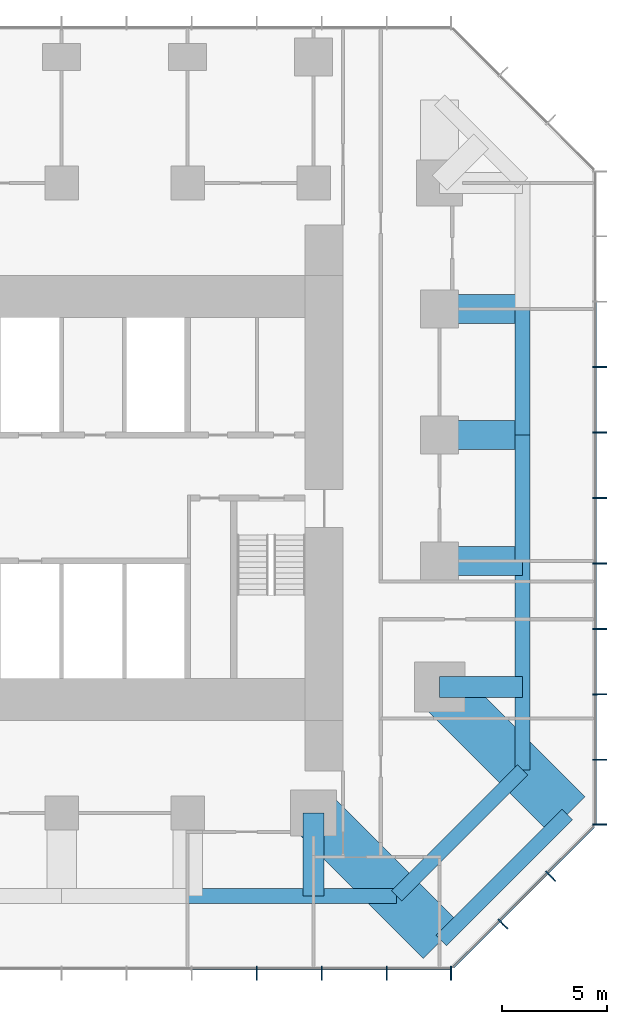
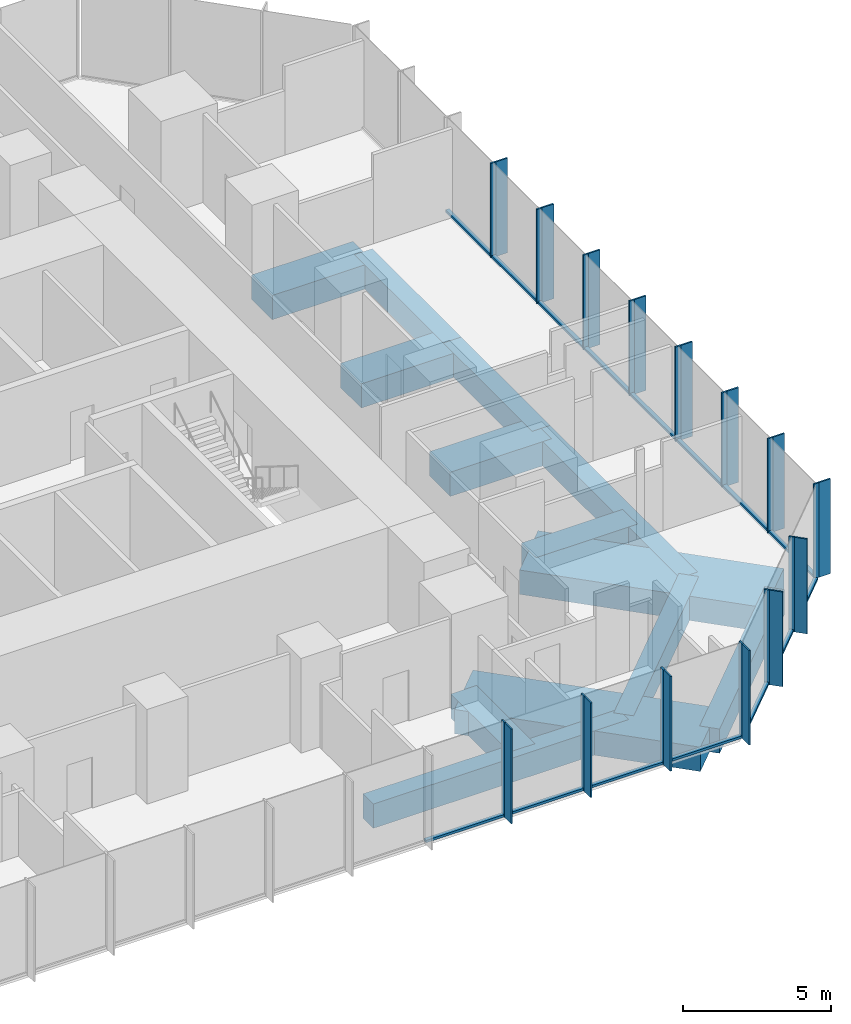
# One storey, part 4 of 12: 43 members, 13 beams, 3 elements without a shape of their own.
"""IFC4 building model written with IfcOpenShell, lengths in metres."""

from ifc_helpers import new_model, si_unit, direction, frame, origin, origin_2d, place, context, subcontext, project, spatial, rectangle, extrude, material, layer, layer_set, material_profile, profile_set, type_object, element, aggregate, save


model = new_model("IFC4")

# Units and contexts
model_context = context("Model", 3, precision=1e-05, world=origin(), true_north=direction((0.0, 1.0)))
body_context = subcontext(model_context, "Body", "Model", "MODEL_VIEW")
ifc_project = project(units=[si_unit("LENGTHUNIT", "METRE"), si_unit("AREAUNIT", "SQUARE_METRE"), si_unit("VOLUMEUNIT", "CUBIC_METRE"), si_unit("PLANEANGLEUNIT", "RADIAN"), si_unit("MASSUNIT", "GRAM", prefix="KILO")], contexts=[model_context])

# Site, building, storey
site_placement = place(None, origin())
site = spatial("IfcSite", under=ifc_project, at=site_placement, CompositionType="ELEMENT")
building_placement = place(site_placement, origin())
building = spatial("IfcBuilding", under=site, at=building_placement, Name="Highveld Stack Headquarters", CompositionType="ELEMENT")
storey_placement = place(building_placement, frame((0.0, 0.0, 148.39990234375)))
storey = spatial("IfcBuildingStorey", under=building, at=storey_placement, Name="L36", CompositionType="ELEMENT", Elevation=148.39990234375)

# Beams
ifc_material_1 = material(Name="Concrete C60/75", Category="concrete")
ifc_material_profile_1 = material_profile(ifc_material_1, rectangle(XDim=1.0, YDim=1.0, at=origin_2d()), Name="RC 1000x1000")
ifc_profile_set_1 = profile_set([ifc_material_profile_1], Name="Concrete C60/75")
beam_type_1 = type_object("IfcBeamType", Name="CANTILEVER RIB RC 1000x1000", PredefinedType="USERDEFINED", material=ifc_profile_set_1)
for number, where, z_axis, x_axis, name in (
    (1, (18.0, -12.0, -0.75), (0.0, -1.0, 0.0), (1.0, 0.0, 0.0), "Cantilever rib 9/C L36"),
    (2, (24.0, -6.0, -0.75), (1.0, 0.0, 0.0), (0.0, 1.0, 0.0), "Cantilever rib 10/D L36"),
):
    element("IfcBeam", number, at=place(storey_placement, frame(where, z_axis=z_axis, x_axis=x_axis)), inside=storey, type_object=beam_type_1, Name=name, ObjectType="CANTILEVER RIB", PredefinedType="USERDEFINED", context=body_context, shape_type="SweptSolid", body=[
        extrude(rectangle(XDim=1.0, YDim=1.0, at=origin_2d()), origin(), (0.0, 0.0, 1.0), 3.949951171875),
    ])
ifc_material_2 = material(Name="Concrete C60/75", Category="concrete")
ifc_material_profile_2 = material_profile(ifc_material_2, rectangle(XDim=1.39990234375, YDim=1.0, at=origin_2d()), Name="RC 1400x1000")
ifc_profile_set_2 = profile_set([ifc_material_profile_2], Name="Concrete C60/75")
beam_type_2 = type_object("IfcBeamType", Name="CANTILEVER RIB RC 1400x1000", PredefinedType="USERDEFINED", material=ifc_profile_set_2)
for number, where, z_axis, x_axis, name in (
    (3, (24.0, 0.0, -0.75), (1.0, 0.0, 0.0), (0.0, 1.0, 0.0), "Cantilever rib 10/E L36"),
    (4, (24.0, 6.0, -0.75), (1.0, 0.0, 0.0), (0.0, 1.0, 0.0), "Cantilever rib 10/F L36"),
    (5, (24.0, 12.0, -0.75), (1.0, 0.0, 0.0), (0.0, 1.0, 0.0), "Cantilever rib 10/G L36"),
):
    element("IfcBeam", number, at=place(storey_placement, frame(where, z_axis=z_axis, x_axis=x_axis)), inside=storey, type_object=beam_type_2, Name=name, ObjectType="CANTILEVER RIB", PredefinedType="USERDEFINED", context=body_context, shape_type="SweptSolid", body=[
        extrude(rectangle(XDim=1.39990234375, YDim=1.0, at=origin_2d()), origin(), (0.0, 0.0, 1.0), 3.949951171875),
    ])
ifc_material_3 = material(Name="Concrete C60/75", Category="concrete")
ifc_material_profile_3 = material_profile(ifc_material_3, rectangle(XDim=2.39990234375, YDim=1.0, at=origin_2d()), Name="RC 2400x1000")
ifc_profile_set_3 = profile_set([ifc_material_profile_3], Name="Concrete C60/75")
beam_type_3 = type_object("IfcBeamType", Name="CANTILEVER RIB RC 2400x1000", PredefinedType="USERDEFINED", material=ifc_profile_set_3)
for number, where, z_axis, x_axis, name in (
    (6, (18.0, -12.0, -0.75), (0.707106781187, -0.707106781187, 0.0), (0.707106781187, 0.707106781187, 0.0), "Cantilever rib 9/C L36"),
    (7, (24.0, -6.0, -0.75), (0.707106781187, -0.707106781187, 0.0), (0.707106781187, 0.707106781187, 0.0), "Cantilever rib 10/D L36"),
):
    element("IfcBeam", number, at=place(storey_placement, frame(where, z_axis=z_axis, x_axis=x_axis)), inside=storey, type_object=beam_type_3, Name=name, ObjectType="CANTILEVER RIB", PredefinedType="USERDEFINED", context=body_context, shape_type="SweptSolid", body=[
        extrude(rectangle(XDim=2.39990234375, YDim=1.0, at=origin_2d()), origin(), (0.0, 0.0, 1.0), 8.585693359375),
    ])

# Curtain wall, members
ifc_material_4 = material(Name="Aluminium bronze anodised", Category="aluminium")
ifc_layer_1 = layer(ifc_material_4, 0.199951171875)
ifc_layer_set_1 = layer_set([ifc_layer_1], Name="Aluminium bronze anodised")
curtain_wall_type_1 = type_object("IfcCurtainWallType", Name="CW1 TOWER UNITISED CURTAIN WALL", PredefinedType="NOTDEFINED", material=ifc_layer_set_1)
curtain_wall_1_placement = place(storey_placement, origin())
curtain_wall_1 = element("IfcCurtainWall", 8, at=curtain_wall_1_placement, inside=storey, type_object=curtain_wall_type_1, Name="Curtain wall CW1 L36 S", PredefinedType="NOTDEFINED")
ifc_material_5 = material(Name="Aluminium bronze anodised", Category="aluminium")
ifc_material_profile_4 = material_profile(ifc_material_5, rectangle(XDim=0.449951171875, YDim=0.06005859375, at=origin_2d()), Name="FIN 450x60")
ifc_profile_set_4 = profile_set([ifc_material_profile_4], Name="Aluminium bronze anodised")
member_type_1 = type_object("IfcMemberType", Name="CW1 BRONZE FIN 450x60", PredefinedType="USERDEFINED", material=ifc_profile_set_4)
member_1_placement = place(storey_placement, frame((15.289794921875, -19.72509765625, 0.0), z_axis=(0.0, 0.0, 1.0), x_axis=(0.0, 1.0, 0.0)))
member_1 = element("IfcMember", 9, at=member_1_placement, type_object=member_type_1, Name="CW1 fin L36 10", ObjectType="FIN", PredefinedType="USERDEFINED", context=body_context, shape_type="SweptSolid", body=[
    extrude(rectangle(XDim=0.449951171875, YDim=0.06005859375, at=origin_2d()), origin(), (0.0, 0.0, 1.0), 3.900146484375),
])
member_2_placement = place(storey_placement, frame((18.38671875, -19.72509765625, 0.0), z_axis=(0.0, 0.0, 1.0), x_axis=(0.0, 1.0, 0.0)))
member_2 = element("IfcMember", 10, at=member_2_placement, type_object=member_type_1, Name="CW1 fin L36 11", ObjectType="FIN", PredefinedType="USERDEFINED", context=body_context, shape_type="SweptSolid", body=[
    extrude(rectangle(XDim=0.449951171875, YDim=0.06005859375, at=origin_2d()), origin(), (0.0, 0.0, 1.0), 3.900146484375),
])
member_3_placement = place(storey_placement, frame((21.483154296875, -19.72509765625, 0.0), z_axis=(0.0, 0.0, 1.0), x_axis=(0.0, 1.0, 0.0)))
member_3 = element("IfcMember", 11, at=member_3_placement, type_object=member_type_1, Name="CW1 fin L36 12", ObjectType="FIN", PredefinedType="USERDEFINED", context=body_context, shape_type="SweptSolid", body=[
    extrude(rectangle(XDim=0.449951171875, YDim=0.06005859375, at=origin_2d()), origin(), (0.0, 0.0, 1.0), 3.900146484375),
])
member_4_placement = place(storey_placement, frame((24.54736328125, -19.72509765625, 0.0), z_axis=(0.0, 0.0, 1.0), x_axis=(0.0, 1.0, 0.0)))
member_4 = element("IfcMember", 12, at=member_4_placement, type_object=member_type_1, Name="CW1 fin L36 13", ObjectType="FIN", PredefinedType="USERDEFINED", context=body_context, shape_type="SweptSolid", body=[
    extrude(rectangle(XDim=0.449951171875, YDim=0.06005859375, at=origin_2d()), origin(), (0.0, 0.0, 1.0), 3.900146484375),
])

curtain_wall_2_placement = place(storey_placement, origin())
curtain_wall_2 = element("IfcCurtainWall", 13, at=curtain_wall_2_placement, inside=storey, type_object=curtain_wall_type_1, Name="Curtain wall CW1 L36 E", PredefinedType="NOTDEFINED")
member_5_placement = place(storey_placement, frame((31.72509765625, -12.54736328125, 0.0), z_axis=(0.0, 0.0, 1.0), x_axis=(-1.0, 0.0, 0.0)))
member_5 = element("IfcMember", 14, at=member_5_placement, type_object=member_type_1, Name="CW1 fin L36 1", ObjectType="FIN", PredefinedType="USERDEFINED", context=body_context, shape_type="SweptSolid", body=[
    extrude(rectangle(XDim=0.449951171875, YDim=0.06005859375, at=origin_2d()), origin(), (0.0, 0.0, 1.0), 3.900146484375),
])
member_6_placement = place(storey_placement, frame((31.72509765625, -9.4638671875, 0.0), z_axis=(0.0, 0.0, 1.0), x_axis=(-1.0, 0.0, 0.0)))
member_6 = element("IfcMember", 15, at=member_6_placement, type_object=member_type_1, Name="CW1 fin L36 2", ObjectType="FIN", PredefinedType="USERDEFINED", context=body_context, shape_type="SweptSolid", body=[
    extrude(rectangle(XDim=0.449951171875, YDim=0.06005859375, at=origin_2d()), origin(), (0.0, 0.0, 1.0), 3.900146484375),
])
member_7_placement = place(storey_placement, frame((31.72509765625, -6.347900390625, 0.0), z_axis=(0.0, 0.0, 1.0), x_axis=(-1.0, 0.0, 0.0)))
member_7 = element("IfcMember", 16, at=member_7_placement, type_object=member_type_1, Name="CW1 fin L36 3", ObjectType="FIN", PredefinedType="USERDEFINED", context=body_context, shape_type="SweptSolid", body=[
    extrude(rectangle(XDim=0.449951171875, YDim=0.06005859375, at=origin_2d()), origin(), (0.0, 0.0, 1.0), 3.900146484375),
])
member_8_placement = place(storey_placement, frame((31.72509765625, -3.23193359375, 0.0), z_axis=(0.0, 0.0, 1.0), x_axis=(-1.0, 0.0, 0.0)))
member_8 = element("IfcMember", 17, at=member_8_placement, type_object=member_type_1, Name="CW1 fin L36 4", ObjectType="FIN", PredefinedType="USERDEFINED", context=body_context, shape_type="SweptSolid", body=[
    extrude(rectangle(XDim=0.449951171875, YDim=0.06005859375, at=origin_2d()), origin(), (0.0, 0.0, 1.0), 3.900146484375),
])
member_9_placement = place(storey_placement, frame((31.72509765625, -0.115966796875, 0.0), z_axis=(0.0, 0.0, 1.0), x_axis=(-1.0, 0.0, 0.0)))
member_9 = element("IfcMember", 18, at=member_9_placement, type_object=member_type_1, Name="CW1 fin L36 5", ObjectType="FIN", PredefinedType="USERDEFINED", context=body_context, shape_type="SweptSolid", body=[
    extrude(rectangle(XDim=0.449951171875, YDim=0.06005859375, at=origin_2d()), origin(), (0.0, 0.0, 1.0), 3.900146484375),
])
member_10_placement = place(storey_placement, frame((31.72509765625, 3.0, 0.0), z_axis=(0.0, 0.0, 1.0), x_axis=(-1.0, 0.0, 0.0)))
member_10 = element("IfcMember", 19, at=member_10_placement, type_object=member_type_1, Name="CW1 fin L36 6", ObjectType="FIN", PredefinedType="USERDEFINED", context=body_context, shape_type="SweptSolid", body=[
    extrude(rectangle(XDim=0.449951171875, YDim=0.06005859375, at=origin_2d()), origin(), (0.0, 0.0, 1.0), 3.900146484375),
])
member_11_placement = place(storey_placement, frame((31.72509765625, 6.115966796875, 0.0), z_axis=(0.0, 0.0, 1.0), x_axis=(-1.0, 0.0, 0.0)))
member_11 = element("IfcMember", 20, at=member_11_placement, type_object=member_type_1, Name="CW1 fin L36 7", ObjectType="FIN", PredefinedType="USERDEFINED", context=body_context, shape_type="SweptSolid", body=[
    extrude(rectangle(XDim=0.449951171875, YDim=0.06005859375, at=origin_2d()), origin(), (0.0, 0.0, 1.0), 3.900146484375),
])
member_12_placement = place(storey_placement, frame((31.72509765625, 9.23193359375, 0.0), z_axis=(0.0, 0.0, 1.0), x_axis=(-1.0, 0.0, 0.0)))
member_12 = element("IfcMember", 21, at=member_12_placement, type_object=member_type_1, Name="CW1 fin L36 8", ObjectType="FIN", PredefinedType="USERDEFINED", context=body_context, shape_type="SweptSolid", body=[
    extrude(rectangle(XDim=0.449951171875, YDim=0.06005859375, at=origin_2d()), origin(), (0.0, 0.0, 1.0), 3.900146484375),
])

# Member
ifc_material_6 = material(Name="Aluminium bronze anodised", Category="aluminium")
ifc_material_profile_5 = material_profile(ifc_material_6, rectangle(XDim=0.199951171875, YDim=0.06494140625, at=origin_2d()), Name="CW1 MULLION 65x200")
ifc_profile_set_5 = profile_set([ifc_material_profile_5], Name="Aluminium bronze anodised")
member_type_2 = type_object("IfcMemberType", Name="CW1 MULLION 65x200", PredefinedType="MULLION", material=ifc_profile_set_5)
member_13_placement = place(storey_placement, frame((15.289794921875, -19.39990234375, 0.0), z_axis=(0.0, 0.0, 1.0), x_axis=(0.0, 1.0, 0.0)))
member_13 = element("IfcMember", 22, at=member_13_placement, type_object=member_type_2, Name="CW1 mullion L36 10", PredefinedType="MULLION", context=body_context, shape_type="SweptSolid", body=[
    extrude(rectangle(XDim=0.199951171875, YDim=0.06494140625, at=origin_2d()), origin(), (0.0, 0.0, 1.0), 3.900146484375),
])

member_14_placement = place(storey_placement, frame((18.38671875, -19.39990234375, 0.0), z_axis=(0.0, 0.0, 1.0), x_axis=(0.0, 1.0, 0.0)))
member_14 = element("IfcMember", 23, at=member_14_placement, type_object=member_type_2, Name="CW1 mullion L36 11", PredefinedType="MULLION", context=body_context, shape_type="SweptSolid", body=[
    extrude(rectangle(XDim=0.199951171875, YDim=0.06494140625, at=origin_2d()), origin(), (0.0, 0.0, 1.0), 3.900146484375),
])

member_15_placement = place(storey_placement, frame((21.483154296875, -19.39990234375, 0.0), z_axis=(0.0, 0.0, 1.0), x_axis=(0.0, 1.0, 0.0)))
member_15 = element("IfcMember", 24, at=member_15_placement, type_object=member_type_2, Name="CW1 mullion L36 12", PredefinedType="MULLION", context=body_context, shape_type="SweptSolid", body=[
    extrude(rectangle(XDim=0.199951171875, YDim=0.06494140625, at=origin_2d()), origin(), (0.0, 0.0, 1.0), 3.900146484375),
])

member_16_placement = place(storey_placement, frame((24.54736328125, -19.39990234375, 0.0), z_axis=(0.0, 0.0, 1.0), x_axis=(0.0, 1.0, 0.0)))
member_16 = element("IfcMember", 25, at=member_16_placement, type_object=member_type_2, Name="CW1 mullion L36 13", PredefinedType="MULLION", context=body_context, shape_type="SweptSolid", body=[
    extrude(rectangle(XDim=0.199951171875, YDim=0.06494140625, at=origin_2d()), origin(), (0.0, 0.0, 1.0), 3.900146484375),
])

member_17_placement = place(storey_placement, frame((31.39990234375, -12.54736328125, 0.0), z_axis=(0.0, 0.0, 1.0), x_axis=(-1.0, 0.0, 0.0)))
member_17 = element("IfcMember", 26, at=member_17_placement, type_object=member_type_2, Name="CW1 mullion L36 1", PredefinedType="MULLION", context=body_context, shape_type="SweptSolid", body=[
    extrude(rectangle(XDim=0.199951171875, YDim=0.06494140625, at=origin_2d()), origin(), (0.0, 0.0, 1.0), 3.900146484375),
])

member_18_placement = place(storey_placement, frame((31.39990234375, -9.4638671875, 0.0), z_axis=(0.0, 0.0, 1.0), x_axis=(-1.0, 0.0, 0.0)))
member_18 = element("IfcMember", 27, at=member_18_placement, type_object=member_type_2, Name="CW1 mullion L36 2", PredefinedType="MULLION", context=body_context, shape_type="SweptSolid", body=[
    extrude(rectangle(XDim=0.199951171875, YDim=0.06494140625, at=origin_2d()), origin(), (0.0, 0.0, 1.0), 3.900146484375),
])

member_19_placement = place(storey_placement, frame((31.39990234375, -6.347900390625, 0.0), z_axis=(0.0, 0.0, 1.0), x_axis=(-1.0, 0.0, 0.0)))
member_19 = element("IfcMember", 28, at=member_19_placement, type_object=member_type_2, Name="CW1 mullion L36 3", PredefinedType="MULLION", context=body_context, shape_type="SweptSolid", body=[
    extrude(rectangle(XDim=0.199951171875, YDim=0.06494140625, at=origin_2d()), origin(), (0.0, 0.0, 1.0), 3.900146484375),
])

member_20_placement = place(storey_placement, frame((31.39990234375, -3.23193359375, 0.0), z_axis=(0.0, 0.0, 1.0), x_axis=(-1.0, 0.0, 0.0)))
member_20 = element("IfcMember", 29, at=member_20_placement, type_object=member_type_2, Name="CW1 mullion L36 4", PredefinedType="MULLION", context=body_context, shape_type="SweptSolid", body=[
    extrude(rectangle(XDim=0.199951171875, YDim=0.06494140625, at=origin_2d()), origin(), (0.0, 0.0, 1.0), 3.900146484375),
])

member_21_placement = place(storey_placement, frame((31.39990234375, -0.115966796875, 0.0), z_axis=(0.0, 0.0, 1.0), x_axis=(-1.0, 0.0, 0.0)))
member_21 = element("IfcMember", 30, at=member_21_placement, type_object=member_type_2, Name="CW1 mullion L36 5", PredefinedType="MULLION", context=body_context, shape_type="SweptSolid", body=[
    extrude(rectangle(XDim=0.199951171875, YDim=0.06494140625, at=origin_2d()), origin(), (0.0, 0.0, 1.0), 3.900146484375),
])

member_22_placement = place(storey_placement, frame((31.39990234375, 3.0, 0.0), z_axis=(0.0, 0.0, 1.0), x_axis=(-1.0, 0.0, 0.0)))
member_22 = element("IfcMember", 31, at=member_22_placement, type_object=member_type_2, Name="CW1 mullion L36 6", PredefinedType="MULLION", context=body_context, shape_type="SweptSolid", body=[
    extrude(rectangle(XDim=0.199951171875, YDim=0.06494140625, at=origin_2d()), origin(), (0.0, 0.0, 1.0), 3.900146484375),
])

member_23_placement = place(storey_placement, frame((31.39990234375, 6.115966796875, 0.0), z_axis=(0.0, 0.0, 1.0), x_axis=(-1.0, 0.0, 0.0)))
member_23 = element("IfcMember", 32, at=member_23_placement, type_object=member_type_2, Name="CW1 mullion L36 7", PredefinedType="MULLION", context=body_context, shape_type="SweptSolid", body=[
    extrude(rectangle(XDim=0.199951171875, YDim=0.06494140625, at=origin_2d()), origin(), (0.0, 0.0, 1.0), 3.900146484375),
])

member_24_placement = place(storey_placement, frame((31.39990234375, 9.23193359375, 0.0), z_axis=(0.0, 0.0, 1.0), x_axis=(-1.0, 0.0, 0.0)))
member_24 = element("IfcMember", 33, at=member_24_placement, type_object=member_type_2, Name="CW1 mullion L36 8", PredefinedType="MULLION", context=body_context, shape_type="SweptSolid", body=[
    extrude(rectangle(XDim=0.199951171875, YDim=0.06494140625, at=origin_2d()), origin(), (0.0, 0.0, 1.0), 3.900146484375),
])

ifc_material_7 = material(Name="Aluminium bronze anodised", Category="aluminium")
ifc_material_profile_6 = material_profile(ifc_material_7, rectangle(XDim=0.14990234375, YDim=0.10009765625, at=origin_2d()), Name="CW1 TRANSOM 150x100")
ifc_profile_set_6 = profile_set([ifc_material_profile_6], Name="Aluminium bronze anodised")
member_type_3 = type_object("IfcMemberType", Name="CW1 STACK TRANSOM 150x100", PredefinedType="USERDEFINED", material=ifc_profile_set_6)
member_25_placement = place(storey_placement, frame((12.225830078125, -19.39990234375, 0.050048828125), z_axis=(1.0, 0.0, 0.0), x_axis=(0.0, 1.0, 0.0)))
member_25 = element("IfcMember", 34, at=member_25_placement, type_object=member_type_3, Name="CW1 transom L36 9.1", ObjectType="TRANSOM", PredefinedType="USERDEFINED", context=body_context, shape_type="SweptSolid", body=[
    extrude(rectangle(XDim=0.14990234375, YDim=0.10009765625, at=origin_2d()), origin(), (0.0, 0.0, 1.0), 3.03173828125),
])

member_26_placement = place(storey_placement, frame((15.322509765625, -19.39990234375, 0.050048828125), z_axis=(1.0, 0.0, 0.0), x_axis=(0.0, 1.0, 0.0)))
member_26 = element("IfcMember", 35, at=member_26_placement, type_object=member_type_3, Name="CW1 transom L36 10.1", ObjectType="TRANSOM", PredefinedType="USERDEFINED", context=body_context, shape_type="SweptSolid", body=[
    extrude(rectangle(XDim=0.14990234375, YDim=0.10009765625, at=origin_2d()), origin(), (0.0, 0.0, 1.0), 3.031494140625),
])

member_27_placement = place(storey_placement, frame((18.419189453125, -19.39990234375, 0.050048828125), z_axis=(1.0, 0.0, 0.0), x_axis=(0.0, 1.0, 0.0)))
member_27 = element("IfcMember", 36, at=member_27_placement, type_object=member_type_3, Name="CW1 transom L36 11.1", ObjectType="TRANSOM", PredefinedType="USERDEFINED", context=body_context, shape_type="SweptSolid", body=[
    extrude(rectangle(XDim=0.14990234375, YDim=0.10009765625, at=origin_2d()), origin(), (0.0, 0.0, 1.0), 3.031494140625),
])

member_28_placement = place(storey_placement, frame((21.515625, -19.39990234375, 0.050048828125), z_axis=(1.0, 0.0, 0.0), x_axis=(0.0, 1.0, 0.0)))
member_28 = element("IfcMember", 37, at=member_28_placement, type_object=member_type_3, Name="CW1 transom L36 12.1", ObjectType="TRANSOM", PredefinedType="USERDEFINED", context=body_context, shape_type="SweptSolid", body=[
    extrude(rectangle(XDim=0.14990234375, YDim=0.10009765625, at=origin_2d()), origin(), (0.0, 0.0, 1.0), 2.999267578125),
])

aggregate(curtain_wall_1, [member_13, member_1, member_14, member_2, member_15, member_3, member_16, member_4, member_25, member_26, member_27, member_28])

member_29_placement = place(storey_placement, frame((31.39990234375, -12.514892578125, 0.050048828125), z_axis=(0.0, 1.0, 0.0), x_axis=(-1.0, 0.0, 0.0)))
member_29 = element("IfcMember", 38, at=member_29_placement, type_object=member_type_3, Name="CW1 transom L36 1.1", ObjectType="TRANSOM", PredefinedType="USERDEFINED", context=body_context, shape_type="SweptSolid", body=[
    extrude(rectangle(XDim=0.14990234375, YDim=0.10009765625, at=origin_2d()), origin(), (0.0, 0.0, 1.0), 3.0185546875),
])

member_30_placement = place(storey_placement, frame((31.39990234375, -9.431396484375, 0.050048828125), z_axis=(0.0, 1.0, 0.0), x_axis=(-1.0, 0.0, 0.0)))
member_30 = element("IfcMember", 39, at=member_30_placement, type_object=member_type_3, Name="CW1 transom L36 2.1", ObjectType="TRANSOM", PredefinedType="USERDEFINED", context=body_context, shape_type="SweptSolid", body=[
    extrude(rectangle(XDim=0.14990234375, YDim=0.10009765625, at=origin_2d()), origin(), (0.0, 0.0, 1.0), 3.051025390625),
])

member_31_placement = place(storey_placement, frame((31.39990234375, -6.3154296875, 0.050048828125), z_axis=(0.0, 1.0, 0.0), x_axis=(-1.0, 0.0, 0.0)))
member_31 = element("IfcMember", 40, at=member_31_placement, type_object=member_type_3, Name="CW1 transom L36 3.1", ObjectType="TRANSOM", PredefinedType="USERDEFINED", context=body_context, shape_type="SweptSolid", body=[
    extrude(rectangle(XDim=0.14990234375, YDim=0.10009765625, at=origin_2d()), origin(), (0.0, 0.0, 1.0), 3.051025390625),
])

member_32_placement = place(storey_placement, frame((31.39990234375, -3.199462890625, 0.050048828125), z_axis=(0.0, 1.0, 0.0), x_axis=(-1.0, 0.0, 0.0)))
member_32 = element("IfcMember", 41, at=member_32_placement, type_object=member_type_3, Name="CW1 transom L36 4.1", ObjectType="TRANSOM", PredefinedType="USERDEFINED", context=body_context, shape_type="SweptSolid", body=[
    extrude(rectangle(XDim=0.14990234375, YDim=0.10009765625, at=origin_2d()), origin(), (0.0, 0.0, 1.0), 3.051025390625),
])

member_33_placement = place(storey_placement, frame((31.39990234375, -0.08349609375, 0.050048828125), z_axis=(0.0, 1.0, 0.0), x_axis=(-1.0, 0.0, 0.0)))
member_33 = element("IfcMember", 42, at=member_33_placement, type_object=member_type_3, Name="CW1 transom L36 5.1", ObjectType="TRANSOM", PredefinedType="USERDEFINED", context=body_context, shape_type="SweptSolid", body=[
    extrude(rectangle(XDim=0.14990234375, YDim=0.10009765625, at=origin_2d()), origin(), (0.0, 0.0, 1.0), 3.051025390625),
])

member_34_placement = place(storey_placement, frame((31.39990234375, 3.032470703125, 0.050048828125), z_axis=(0.0, 1.0, 0.0), x_axis=(-1.0, 0.0, 0.0)))
member_34 = element("IfcMember", 43, at=member_34_placement, type_object=member_type_3, Name="CW1 transom L36 6.1", ObjectType="TRANSOM", PredefinedType="USERDEFINED", context=body_context, shape_type="SweptSolid", body=[
    extrude(rectangle(XDim=0.14990234375, YDim=0.10009765625, at=origin_2d()), origin(), (0.0, 0.0, 1.0), 3.051025390625),
])

member_35_placement = place(storey_placement, frame((31.39990234375, 6.1484375, 0.050048828125), z_axis=(0.0, 1.0, 0.0), x_axis=(-1.0, 0.0, 0.0)))
member_35 = element("IfcMember", 44, at=member_35_placement, type_object=member_type_3, Name="CW1 transom L36 7.1", ObjectType="TRANSOM", PredefinedType="USERDEFINED", context=body_context, shape_type="SweptSolid", body=[
    extrude(rectangle(XDim=0.14990234375, YDim=0.10009765625, at=origin_2d()), origin(), (0.0, 0.0, 1.0), 3.051025390625),
])

member_36_placement = place(storey_placement, frame((31.39990234375, 9.264404296875, 0.050048828125), z_axis=(0.0, 1.0, 0.0), x_axis=(-1.0, 0.0, 0.0)))
member_36 = element("IfcMember", 45, at=member_36_placement, type_object=member_type_3, Name="CW1 transom L36 8.1", ObjectType="TRANSOM", PredefinedType="USERDEFINED", context=body_context, shape_type="SweptSolid", body=[
    extrude(rectangle(XDim=0.14990234375, YDim=0.10009765625, at=origin_2d()), origin(), (0.0, 0.0, 1.0), 3.051025390625),
])

aggregate(curtain_wall_2, [member_17, member_5, member_18, member_6, member_19, member_7, member_20, member_8, member_21, member_9, member_22, member_10, member_23, member_11, member_24, member_12, member_29, member_30, member_31, member_32, member_33, member_34, member_35, member_36])

# Curtain wall, members
ifc_material_8 = material(Name="Aluminium bronze anodised", Category="aluminium")
ifc_layer_2 = layer(ifc_material_8, 0.199951171875)
ifc_layer_set_2 = layer_set([ifc_layer_2], Name="Aluminium bronze anodised")
curtain_wall_type_2 = type_object("IfcCurtainWallType", Name="CW2 TOWER CHAMFER UNITISED CURTAIN WALL", PredefinedType="NOTDEFINED", material=ifc_layer_set_2)
curtain_wall_3_placement = place(storey_placement, origin())
curtain_wall_3 = element("IfcCurtainWall", 46, at=curtain_wall_3_placement, inside=storey, type_object=curtain_wall_type_2, Name="Curtain wall CW2 L36 SE", PredefinedType="NOTDEFINED")
ifc_material_9 = material(Name="Aluminium bronze anodised", Category="aluminium")
ifc_material_profile_7 = material_profile(ifc_material_9, rectangle(XDim=0.449951171875, YDim=0.06005859375, at=origin_2d()), Name="FIN 450x60")
ifc_profile_set_7 = profile_set([ifc_material_profile_7], Name="Aluminium bronze anodised")
member_type_4 = type_object("IfcMemberType", Name="CW2 BRONZE FIN 450x60", PredefinedType="USERDEFINED", material=ifc_profile_set_7)
member_37_placement = place(storey_placement, frame((27.0830078125, -17.3564453125, 0.0), z_axis=(0.0, 0.0, 1.0), x_axis=(-0.707106781187, 0.707106781187, 0.0)))
member_37 = element("IfcMember", 47, at=member_37_placement, type_object=member_type_4, Name="CW2 fin L36 1", ObjectType="FIN", PredefinedType="USERDEFINED", context=body_context, shape_type="SweptSolid", body=[
    extrude(rectangle(XDim=0.449951171875, YDim=0.06005859375, at=origin_2d()), origin(), (0.0, 0.0, 1.0), 3.900146484375),
])
member_38_placement = place(storey_placement, frame((29.3564453125, -15.0830078125, 0.0), z_axis=(0.0, 0.0, 1.0), x_axis=(-0.707106781187, 0.707106781187, 0.0)))
member_38 = element("IfcMember", 48, at=member_38_placement, type_object=member_type_4, Name="CW2 fin L36 2", ObjectType="FIN", PredefinedType="USERDEFINED", context=body_context, shape_type="SweptSolid", body=[
    extrude(rectangle(XDim=0.449951171875, YDim=0.06005859375, at=origin_2d()), origin(), (0.0, 0.0, 1.0), 3.900146484375),
])
ifc_material_10 = material(Name="Aluminium bronze anodised", Category="aluminium")
ifc_material_profile_8 = material_profile(ifc_material_10, rectangle(XDim=0.199951171875, YDim=0.06494140625, at=origin_2d()), Name="CW2 MULLION 65x200")
ifc_profile_set_8 = profile_set([ifc_material_profile_8], Name="Aluminium bronze anodised")
member_type_5 = type_object("IfcMemberType", Name="CW2 MULLION 65x200", PredefinedType="MULLION", material=ifc_profile_set_8)
member_39_placement = place(storey_placement, frame((26.853271484375, -17.126708984375, 0.0), z_axis=(0.0, 0.0, 1.0), x_axis=(-0.707106781187, 0.707106781187, 0.0)))
member_39 = element("IfcMember", 49, at=member_39_placement, type_object=member_type_5, Name="CW2 mullion L36 1", PredefinedType="MULLION", context=body_context, shape_type="SweptSolid", body=[
    extrude(rectangle(XDim=0.199951171875, YDim=0.06494140625, at=origin_2d()), origin(), (0.0, 0.0, 1.0), 3.900146484375),
])
member_40_placement = place(storey_placement, frame((29.126708984375, -14.853271484375, 0.0), z_axis=(0.0, 0.0, 1.0), x_axis=(-0.707106781187, 0.707106781187, 0.0)))
member_40 = element("IfcMember", 50, at=member_40_placement, type_object=member_type_5, Name="CW2 mullion L36 2", PredefinedType="MULLION", context=body_context, shape_type="SweptSolid", body=[
    extrude(rectangle(XDim=0.199951171875, YDim=0.06494140625, at=origin_2d()), origin(), (0.0, 0.0, 1.0), 3.900146484375),
])
ifc_material_11 = material(Name="Aluminium bronze anodised", Category="aluminium")
ifc_material_profile_9 = material_profile(ifc_material_11, rectangle(XDim=0.14990234375, YDim=0.10009765625, at=origin_2d()), Name="CW2 TRANSOM 150x100")
ifc_profile_set_9 = profile_set([ifc_material_profile_9], Name="Aluminium bronze anodised")
member_type_6 = type_object("IfcMemberType", Name="CW2 STACK TRANSOM 150x100", PredefinedType="USERDEFINED", material=ifc_profile_set_9)
member_41_placement = place(storey_placement, frame((24.650634765625, -19.329345703125, 0.050048828125), z_axis=(0.707106781187, 0.707106781187, 0.0), x_axis=(-0.707106781187, 0.707106781187, 0.0)))
member_41 = element("IfcMember", 51, at=member_41_placement, type_object=member_type_6, Name="CW2 transom L36 1.1", ObjectType="TRANSOM", PredefinedType="USERDEFINED", context=body_context, shape_type="SweptSolid", body=[
    extrude(rectangle(XDim=0.14990234375, YDim=0.10009765625, at=origin_2d()), origin(), (0.0, 0.0, 1.0), 3.08251953125),
])
member_42_placement = place(storey_placement, frame((26.876220703125, -17.103759765625, 0.050048828125), z_axis=(0.707106781187, 0.707106781187, 0.0), x_axis=(-0.707106781187, 0.707106781187, 0.0)))
member_42 = element("IfcMember", 52, at=member_42_placement, type_object=member_type_6, Name="CW2 transom L36 2.1", ObjectType="TRANSOM", PredefinedType="USERDEFINED", context=body_context, shape_type="SweptSolid", body=[
    extrude(rectangle(XDim=0.14990234375, YDim=0.10009765625, at=origin_2d()), origin(), (0.0, 0.0, 1.0), 3.150146484375),
])
member_43_placement = place(storey_placement, frame((29.149658203125, -14.830322265625, 0.050048828125), z_axis=(0.707106781187, 0.707106781187, 0.0), x_axis=(-0.707106781187, 0.707106781187, 0.0)))
member_43 = element("IfcMember", 53, at=member_43_placement, type_object=member_type_6, Name="CW2 transom L36 3.1", ObjectType="TRANSOM", PredefinedType="USERDEFINED", context=body_context, shape_type="SweptSolid", body=[
    extrude(rectangle(XDim=0.14990234375, YDim=0.10009765625, at=origin_2d()), origin(), (0.0, 0.0, 1.0), 3.08251953125),
])
aggregate(curtain_wall_3, [member_39, member_37, member_40, member_38, member_41, member_42, member_43])

# Beams
ifc_material_12 = material(Name="Concrete C60/75", Category="concrete")
ifc_material_profile_10 = material_profile(ifc_material_12, rectangle(XDim=0.699951171875, YDim=1.0, at=origin_2d()), Name="RC 700x1000")
ifc_profile_set_10 = profile_set([ifc_material_profile_10], Name="Concrete C60/75")
beam_type_4 = type_object("IfcBeamType", Name="RIB TIP BEAM RC 700x1000", PredefinedType="SPANDREL", material=ifc_profile_set_10)
beam_1_placement = place(storey_placement, frame((27.949951171875, -9.949951171875, -0.75), z_axis=(0.0, 1.0, 0.0), x_axis=(-1.0, 0.0, 0.0)))
element("IfcBeam", 54, at=beam_1_placement, inside=storey, type_object=beam_type_4, Name="Rib tip beam 10/D to 10/E L36", PredefinedType="SPANDREL", context=body_context, shape_type="SweptSolid", body=[
    extrude(rectangle(XDim=0.699951171875, YDim=1.0, at=origin_2d()), origin(), (0.0, 0.0, 1.0), 9.949951171875),
])
for number, where, z_axis, x_axis, name in (
    (55, (27.949951171875, 0.0, -0.75), (0.0, 1.0, 0.0), (-1.0, 0.0, 0.0), "Rib tip beam 10/E to 10/F L36"),
    (56, (27.949951171875, 6.0, -0.75), (0.0, 1.0, 0.0), (-1.0, 0.0, 0.0), "Rib tip beam 10/F to 10/G L36"),
):
    element("IfcBeam", number, at=place(storey_placement, frame(where, z_axis=z_axis, x_axis=x_axis)), inside=storey, type_object=beam_type_4, Name=name, PredefinedType="SPANDREL", context=body_context, shape_type="SweptSolid", body=[
        extrude(rectangle(XDim=0.699951171875, YDim=1.0, at=origin_2d()), origin(), (0.0, 0.0, 1.0), 6.0),
    ])
beam_2_placement = place(storey_placement, frame((12.0, -15.949951171875, -0.75), z_axis=(1.0, 0.0, 0.0), x_axis=(0.0, 1.0, 0.0)))
element("IfcBeam", 57, at=beam_2_placement, inside=storey, type_object=beam_type_4, Name="Rib tip beam 8/C to 9/C L36", PredefinedType="SPANDREL", context=body_context, shape_type="SweptSolid", body=[
    extrude(rectangle(XDim=0.699951171875, YDim=1.0, at=origin_2d()), origin(), (0.0, 0.0, 1.0), 9.949951171875),
])
for number, where, z_axis, x_axis, name in (
    (58, (21.949951171875, -15.949951171875, -0.75), (0.707106781187, 0.707106781187, 0.0), (-0.707106781187, 0.707106781187, 0.0), "Rib tip beam 9/C to 10/D chamfer L36"),
    (59, (24.071044921875, -18.071044921875, -0.75), (0.707106781187, 0.707106781187, 0.0), (-0.707106781187, 0.707106781187, 0.0), "Rib tip beam 9/C to 10/D chamfer edge L36"),
):
    element("IfcBeam", number, at=place(storey_placement, frame(where, z_axis=z_axis, x_axis=x_axis)), inside=storey, type_object=beam_type_4, Name=name, PredefinedType="SPANDREL", context=body_context, shape_type="SweptSolid", body=[
        extrude(rectangle(XDim=0.699951171875, YDim=1.0, at=origin_2d()), origin(), (0.0, 0.0, 1.0), 8.4853515625),
    ])

save(model, "model.ifc")
